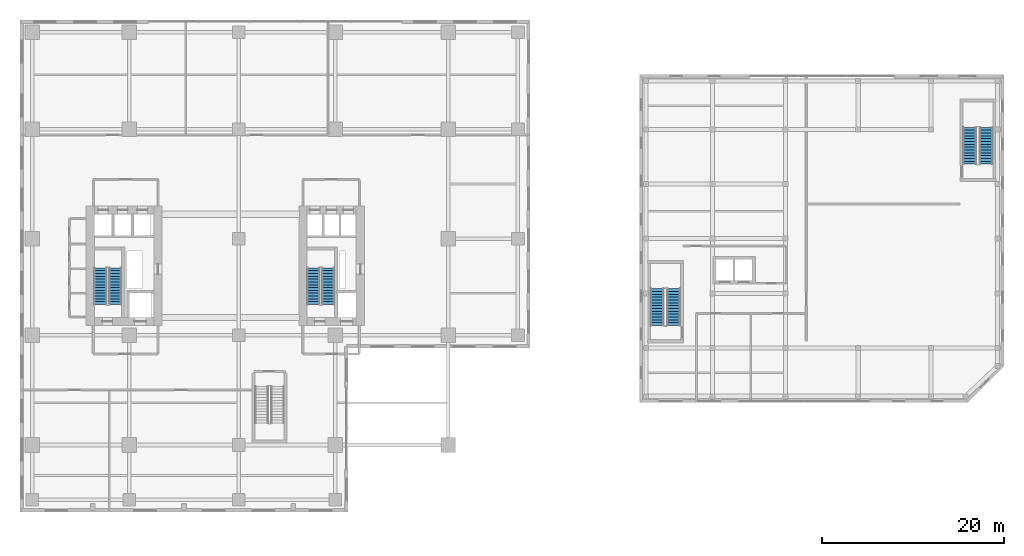
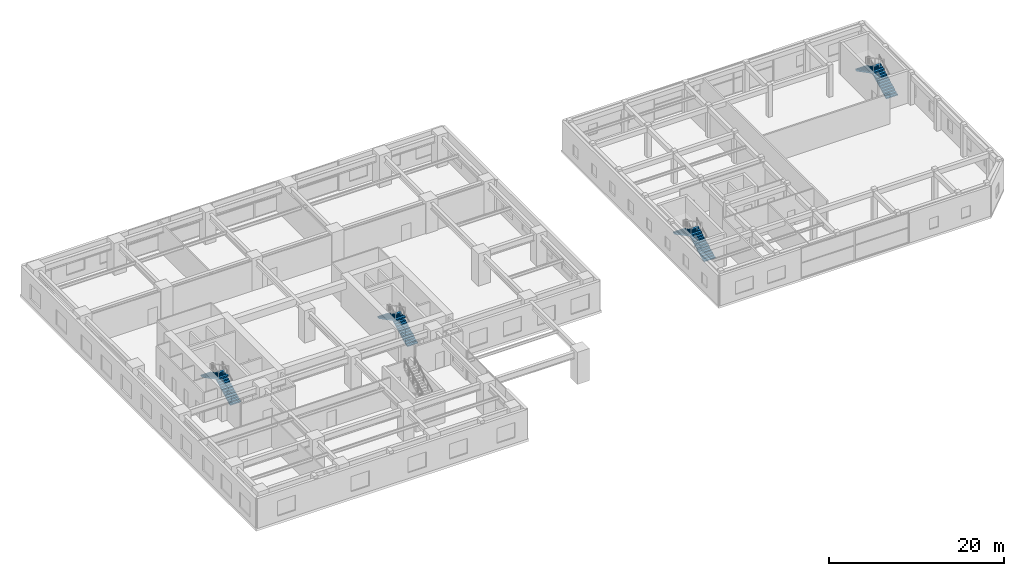
# One storey, part 24 of 26: 8 stair flights, 4 elements without a shape of their own.
"""IFC4 building model written with IfcOpenShell, lengths in metres."""

from ifc_helpers import new_model, si_unit, direction, frame, origin, place, context, subcontext, project, spatial, polyline, outline, extrude, source, transform, mapped, material, type_object, element, aggregate, save


model = new_model("IFC4")

# Units and contexts
model_context = context("Model", 3, precision=1e-05, world=origin(), true_north=direction((0.0, 1.0)))
body_context = subcontext(model_context, "Body", "Model", "MODEL_VIEW")
ifc_project = project(units=[si_unit("LENGTHUNIT", "METRE"), si_unit("AREAUNIT", "SQUARE_METRE"), si_unit("VOLUMEUNIT", "CUBIC_METRE"), si_unit("PLANEANGLEUNIT", "RADIAN"), si_unit("MASSUNIT", "GRAM", prefix="KILO")], contexts=[model_context])

# Site, building, storey
site_placement = place(None, origin())
site = spatial("IfcSite", under=ifc_project, at=site_placement, CompositionType="ELEMENT")
building_placement = place(site_placement, origin())
building = spatial("IfcBuilding", under=site, at=building_placement, Name="Khoralis Quay Care Tower", CompositionType="ELEMENT")
storey_placement = place(building_placement, frame((0.0, 0.0, 13.5)))
storey = spatial("IfcBuildingStorey", under=building, at=storey_placement, Name="L03", CompositionType="ELEMENT", Elevation=13.5)

# Stair, stair flights
ifc_material = material(Name="Precast concrete C45/55", Category="concrete")
stair_type_1 = type_object("IfcStairType", Name="ST-TWR-DOGLEG-1400", PredefinedType="HALF_TURN_STAIR", material=ifc_material)
stair_1_placement = place(storey_placement, origin())
stair_1 = element("IfcStair", 1, at=stair_1_placement, inside=storey, type_object=stair_type_1, Name="L03 West Core Exit Stair ST-T1", PredefinedType="HALF_TURN_STAIR")
stair_flight_type_1 = type_object("IfcStairFlightType", Name="SF-TWR-1400", PredefinedType="STRAIGHT", material=ifc_material)
shared_shape_1 = source(origin(), body_context, "Body", "SweptSolid", [
    extrude(outline(polyline([(0.0, 0.0), (0.0, 0.16064453125), (0.31005859375, 0.16064453125), (0.31005859375, 0.321533203125), (0.6201171875, 0.321533203125), (0.6201171875, 0.482177734375), (0.929931640625, 0.482177734375), (0.929931640625, 0.642822265625), (1.239990234375, 0.642822265625), (1.239990234375, 0.803466796875), (1.550048828125, 0.803466796875), (1.550048828125, 0.96435546875), (1.860107421875, 0.96435546875), (1.860107421875, 1.125), (2.169921875, 1.125), (2.169921875, 1.28564453125), (2.47998046875, 1.28564453125), (2.47998046875, 1.446533203125), (2.7900390625, 1.446533203125), (2.7900390625, 1.607177734375), (3.10009765625, 1.607177734375), (3.10009765625, 1.767822265625), (3.409912109375, 1.767822265625), (3.409912109375, 1.928466796875), (3.719970703125, 1.928466796875), (3.719970703125, 2.08935546875), (4.030029296875, 2.08935546875), (4.030029296875, 2.25), (4.030029296875, 1.92041015625), (0.32568359375, 0.0), (0.0, 0.0)])), frame((0.0, 0.68994140625, 0.0), z_axis=(0.0, -1.0, 0.0), x_axis=(1.0, 0.0, 0.0)), (0.0, 0.0, 1.0), 1.3798828125),
])
stair_flight_1_placement = place(storey_placement, frame((10.4599609375, 16.77001953125, 0.0), z_axis=(0.0, 0.0, 1.0), x_axis=(0.0, 1.0, 0.0)))
stair_flight_1 = element("IfcStairFlight", 2, at=stair_flight_1_placement, type_object=stair_flight_type_1, Name="ST-T1 flight 1", NumberOfRisers=14, NumberOfTreads=13, PredefinedType="STRAIGHT", RiserHeight=0.160714286, TreadLength=0.31, context=body_context, shape_type="MappedRepresentation", body=[
    mapped(shared_shape_1, transform((0.0, 0.0, 0.0), scale=1.0)),
])
stair_flight_2_placement = place(storey_placement, frame((8.840087890625, 20.800048828125, 2.25), z_axis=(0.0, 0.0, 1.0), x_axis=(0.0, -1.0, 0.0)))
stair_flight_2 = element("IfcStairFlight", 3, at=stair_flight_2_placement, type_object=stair_flight_type_1, Name="ST-T1 flight 2", NumberOfRisers=14, NumberOfTreads=13, PredefinedType="STRAIGHT", RiserHeight=0.160714286, TreadLength=0.31, context=body_context, shape_type="MappedRepresentation", body=[
    mapped(shared_shape_1, transform((0.0, 0.0, 0.0), scale=1.0)),
])
aggregate(stair_1, [stair_flight_1, stair_flight_2])

stair_2_placement = place(storey_placement, origin())
stair_2 = element("IfcStair", 4, at=stair_2_placement, inside=storey, type_object=stair_type_1, Name="L03 East Core Exit Stair ST-T2", PredefinedType="HALF_TURN_STAIR")
stair_flight_3_placement = place(storey_placement, frame((33.830078125, 16.77001953125, 0.0), z_axis=(0.0, 0.0, 1.0), x_axis=(0.0, 1.0, 0.0)))
stair_flight_3 = element("IfcStairFlight", 5, at=stair_flight_3_placement, type_object=stair_flight_type_1, Name="ST-T2 flight 1", NumberOfRisers=14, NumberOfTreads=13, PredefinedType="STRAIGHT", RiserHeight=0.160714286, TreadLength=0.31, context=body_context, shape_type="MappedRepresentation", body=[
    mapped(shared_shape_1, transform((0.0, 0.0, 0.0), scale=1.0)),
])
stair_flight_4_placement = place(storey_placement, frame((32.2099609375, 20.800048828125, 2.25), z_axis=(0.0, 0.0, 1.0), x_axis=(0.0, -1.0, 0.0)))
stair_flight_4 = element("IfcStairFlight", 6, at=stair_flight_4_placement, type_object=stair_flight_type_1, Name="ST-T2 flight 2", NumberOfRisers=14, NumberOfTreads=13, PredefinedType="STRAIGHT", RiserHeight=0.160714286, TreadLength=0.31, context=body_context, shape_type="MappedRepresentation", body=[
    mapped(shared_shape_1, transform((0.0, 0.0, 0.0), scale=1.0)),
])
aggregate(stair_2, [stair_flight_3, stair_flight_4])

stair_type_2 = type_object("IfcStairType", Name="ST-SCH-DOGLEG-1550", PredefinedType="HALF_TURN_STAIR", material=ifc_material)
stair_3_placement = place(storey_placement, origin())
stair_3 = element("IfcStair", 7, at=stair_3_placement, inside=storey, type_object=stair_type_2, Name="L03 Companion School West Exit Stair ST-S1", PredefinedType="HALF_TURN_STAIR")
stair_flight_type_2 = type_object("IfcStairFlightType", Name="SF-SCH-1550", PredefinedType="STRAIGHT", material=ifc_material)
shared_shape_2 = source(origin(), body_context, "Body", "SweptSolid", [
    extrude(outline(polyline([(0.0, 0.0), (0.0, 0.16064453125), (0.31005859375, 0.16064453125), (0.31005859375, 0.321533203125), (0.6201171875, 0.321533203125), (0.6201171875, 0.482177734375), (0.929931640625, 0.482177734375), (0.929931640625, 0.642822265625), (1.239990234375, 0.642822265625), (1.239990234375, 0.803466796875), (1.550048828125, 0.803466796875), (1.550048828125, 0.96435546875), (1.860107421875, 0.96435546875), (1.860107421875, 1.125), (2.169921875, 1.125), (2.169921875, 1.28564453125), (2.47998046875, 1.28564453125), (2.47998046875, 1.446533203125), (2.7900390625, 1.446533203125), (2.7900390625, 1.607177734375), (3.10009765625, 1.607177734375), (3.10009765625, 1.767822265625), (3.409912109375, 1.767822265625), (3.409912109375, 1.928466796875), (3.719970703125, 1.928466796875), (3.719970703125, 2.08935546875), (4.030029296875, 2.08935546875), (4.030029296875, 2.25), (4.030029296875, 1.92041015625), (0.32568359375, 0.0), (0.0, 0.0)])), frame((0.0, 0.75, 0.0), z_axis=(0.0, -1.0, 0.0), x_axis=(1.0, 0.0, 0.0)), (0.0, 0.0, 1.0), 1.5),
])
stair_flight_5_placement = place(storey_placement, frame((71.75, 14.47998046875, 0.0), z_axis=(0.0, 0.0, 1.0), x_axis=(0.0, 1.0, 0.0)))
stair_flight_5 = element("IfcStairFlight", 8, at=stair_flight_5_placement, type_object=stair_flight_type_2, Name="ST-S1 flight 1", NumberOfRisers=14, NumberOfTreads=13, PredefinedType="STRAIGHT", RiserHeight=0.160714286, TreadLength=0.31, context=body_context, shape_type="MappedRepresentation", body=[
    mapped(shared_shape_2, transform((0.0, 0.0, 0.0), scale=1.0)),
])
stair_flight_6_placement = place(storey_placement, frame((69.949951171875, 18.510009765625, 2.25), z_axis=(0.0, 0.0, 1.0), x_axis=(0.0, -1.0, 0.0)))
stair_flight_6 = element("IfcStairFlight", 9, at=stair_flight_6_placement, type_object=stair_flight_type_2, Name="ST-S1 flight 2", NumberOfRisers=14, NumberOfTreads=13, PredefinedType="STRAIGHT", RiserHeight=0.160714286, TreadLength=0.31, context=body_context, shape_type="MappedRepresentation", body=[
    mapped(shared_shape_2, transform((0.0, 0.0, 0.0), scale=1.0)),
])
aggregate(stair_3, [stair_flight_5, stair_flight_6])

stair_4_placement = place(storey_placement, origin())
stair_4 = element("IfcStair", 10, at=stair_4_placement, inside=storey, type_object=stair_type_2, Name="L03 Companion School East Exit Stair ST-S2", PredefinedType="HALF_TURN_STAIR")
stair_flight_7_placement = place(storey_placement, frame((106.050048828125, 32.179931640625, 0.0), z_axis=(0.0, 0.0, 1.0), x_axis=(0.0, 1.0, 0.0)))
stair_flight_7 = element("IfcStairFlight", 11, at=stair_flight_7_placement, type_object=stair_flight_type_2, Name="ST-S2 flight 1", NumberOfRisers=14, NumberOfTreads=13, PredefinedType="STRAIGHT", RiserHeight=0.160714286, TreadLength=0.31, context=body_context, shape_type="MappedRepresentation", body=[
    mapped(shared_shape_2, transform((0.0, 0.0, 0.0), scale=1.0)),
])
stair_flight_8_placement = place(storey_placement, frame((104.25, 36.2099609375, 2.25), z_axis=(0.0, 0.0, 1.0), x_axis=(0.0, -1.0, 0.0)))
stair_flight_8 = element("IfcStairFlight", 12, at=stair_flight_8_placement, type_object=stair_flight_type_2, Name="ST-S2 flight 2", NumberOfRisers=14, NumberOfTreads=13, PredefinedType="STRAIGHT", RiserHeight=0.160714286, TreadLength=0.31, context=body_context, shape_type="MappedRepresentation", body=[
    mapped(shared_shape_2, transform((0.0, 0.0, 0.0), scale=1.0)),
])
aggregate(stair_4, [stair_flight_7, stair_flight_8])

save(model, "model.ifc")
